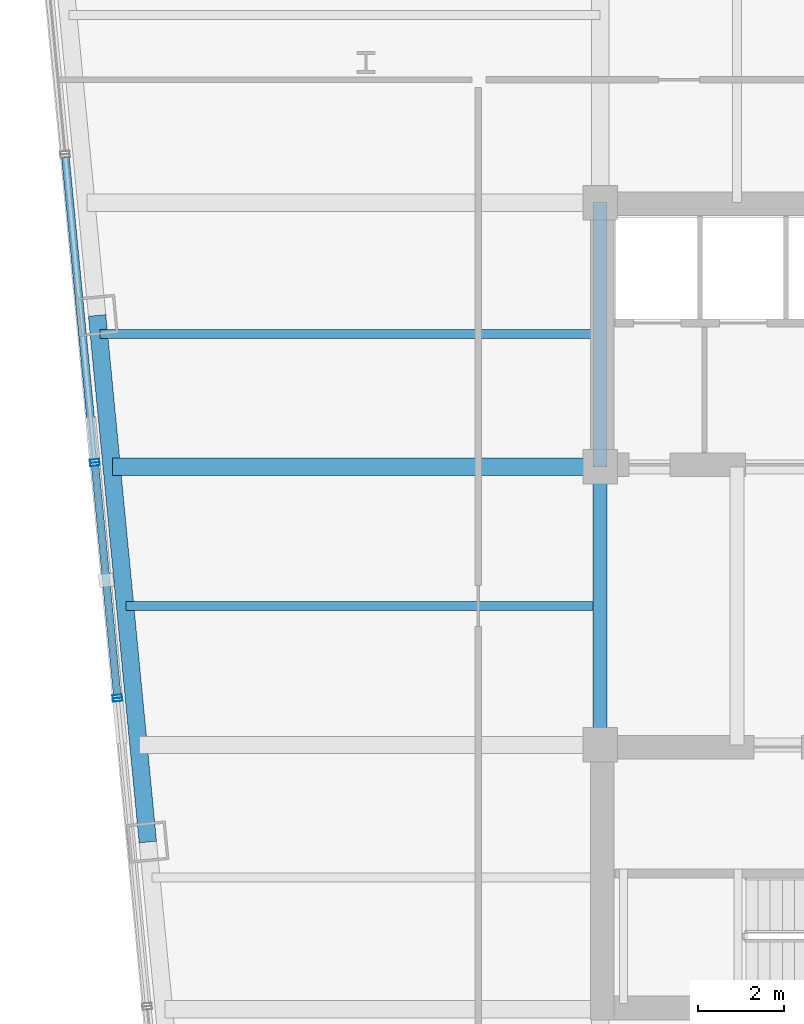
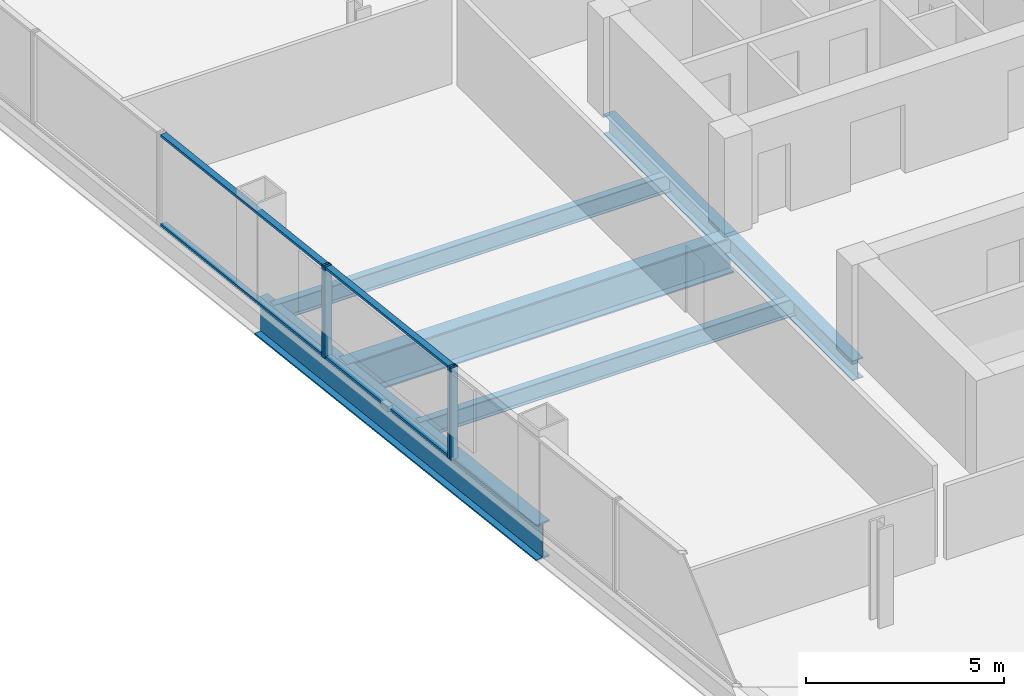
# One storey, part 7 of 26: 8 members, 6 beams, 3 elements without a shape of their own.
"""IFC4 building model written with IfcOpenShell, lengths in metres."""

import ifcopenshell
import ifcopenshell.guid

model = None  # the IFC model being written
_history = None  # IfcOwnerHistory: only IFC2X3 demands one
_inside = {}  # id of a spatial element -> (the spatial element, [elements in it])
_under = {}  # id of a project, library or spatial element -> (it, [spatial elements below it])
_declared = {}  # id of a project -> (the project, [libraries it declares])
_typed = {}  # id of a type object -> (the type object, [elements of that type])
_made_of = {}  # id of a material, layer set ... -> (it, [elements and type objects made of it])


def new_model(schema):
    """Start an empty IFC model of exactly this schema.

    Asked for "IFC4X3", IfcOpenShell would pick the latest addendum, in which some entities
    have other attributes; the version numbers below select the first issue.
    IFC2X3 requires an IfcOwnerHistory on every rooted entity: one is made here for all.
    """
    global model, _history
    if schema == "IFC4X3":
        model = ifcopenshell.file(schema_version=(4, 3, 0, 0))
    else:
        model = ifcopenshell.file(schema=schema)
    _inside.clear()
    _under.clear()
    _declared.clear()
    _typed.clear()
    _made_of.clear()
    _history = None
    if model.schema == "IFC2X3":
        org = make("IfcOrganization", Name="unknown")
        user = make(
            "IfcPersonAndOrganization",
            ThePerson=make("IfcPerson", FamilyName="unknown"),
            TheOrganization=org,
        )
        app = make(
            "IfcApplication",
            ApplicationDeveloper=org,
            Version="unknown",
            ApplicationFullName="unknown",
            ApplicationIdentifier="unknown",
        )
        _history = make(
            "IfcOwnerHistory",
            OwningUser=user,
            OwningApplication=app,
            ChangeAction="ADDED",
            CreationDate=0,
        )
    return model


def make(cls, **values):
    """One entity of the class cls with the attributes given. An attribute that is None is left unset."""
    return model.create_entity(
        cls, **{name: value for name, value in values.items() if value is not None}
    )


def rooted(cls, **values):
    """An entity with a GlobalId (a new one), such as an element, a storey or a relation."""
    return make(cls, GlobalId=ifcopenshell.guid.new(), OwnerHistory=_history, **values)


def si_unit(unit_type, name, prefix=None):
    """IfcSIUnit, for example si_unit("LENGTHUNIT", "METRE", prefix="MILLI")."""
    return make("IfcSIUnit", UnitType=unit_type, Prefix=prefix, Name=name)


def assignment(units):
    """IfcUnitAssignment: the units of a project."""
    return None if units is None else make("IfcUnitAssignment", Units=units)


def point(xyz):
    """IfcCartesianPoint."""
    return None if xyz is None else make("IfcCartesianPoint", Coordinates=xyz)


def direction(xyz):
    """IfcDirection."""
    return None if xyz is None else make("IfcDirection", DirectionRatios=xyz)


def frame(location, z_axis=None, x_axis=None):
    """IfcAxis2Placement3D, a coordinate frame: its origin and axes. An axis left out is left unset."""
    return make(
        "IfcAxis2Placement3D",
        Location=point(location),
        Axis=direction(z_axis),
        RefDirection=direction(x_axis),
    )


def frame_2d(location, x_axis=None):
    """IfcAxis2Placement2D, a coordinate frame in the plane: its origin and x axis."""
    return make(
        "IfcAxis2Placement2D", Location=point(location), RefDirection=direction(x_axis)
    )


def origin():
    """The frame at (0, 0, 0) with its axes left unset."""
    return frame((0.0, 0.0, 0.0))


def origin_2d():
    """The frame at (0, 0) in the plane with its x axis left unset."""
    return frame_2d((0.0, 0.0))


def place(relative_to, where):
    """IfcLocalPlacement: puts the frame where relative to a parent placement (None: the world)."""
    return make(
        "IfcLocalPlacement", PlacementRelTo=relative_to, RelativePlacement=where
    )


def context(
    kind, dimensions, precision=None, world=None, true_north=None, identifier=None
):
    """IfcGeometricRepresentationContext, for example the 3D "Model" context."""
    return make(
        "IfcGeometricRepresentationContext",
        ContextIdentifier=identifier,
        ContextType=kind,
        CoordinateSpaceDimension=dimensions,
        Precision=precision,
        WorldCoordinateSystem=world,
        TrueNorth=true_north,
    )


def subcontext(parent, identifier, kind, view, scale=None):
    """IfcGeometricRepresentationSubContext, for example "Body" below "Model"."""
    return make(
        "IfcGeometricRepresentationSubContext",
        ContextIdentifier=identifier,
        ContextType=kind,
        ParentContext=parent,
        TargetScale=scale,
        TargetView=view,
    )


def project(units=None, contexts=None):
    """IfcProject with its units and contexts."""
    return rooted(
        "IfcProject",
        Name="project",
        RepresentationContexts=contexts,
        UnitsInContext=assignment(units),
    )


def spatial(cls, under=None, at=None, **own):
    """A site, building, storey or space (cls), placed at a placement, below another one or the project."""
    s = rooted(cls, ObjectPlacement=at, **own)
    if under is not None:
        _under.setdefault(under.id(), (under, []))[1].append(s)
    return s


def profile(cls, at=None, kind="AREA", **sizes):
    """A parametric profile (cls). Its sizes go by their IFC names, for example OverallWidth=200.0."""
    return make(cls, ProfileType=kind, Position=at, **sizes)


def hollow_rectangle(**sizes):
    """IfcRectangleHollowProfileDef."""
    return profile("IfcRectangleHollowProfileDef", **sizes)


def i_section(**sizes):
    """IfcIShapeProfileDef."""
    return profile("IfcIShapeProfileDef", **sizes)


def extrude(swept, where, along, depth):
    """IfcExtrudedAreaSolid: the profile swept, set in the frame where, extruded along a direction by depth."""
    return make(
        "IfcExtrudedAreaSolid",
        SweptArea=swept,
        Position=where,
        ExtrudedDirection=direction(along),
        Depth=depth,
    )


def shape(context_of_items, identifier, shape_type, items):
    """IfcShapeRepresentation: the items that make up one representation, for example the "Body"."""
    return make(
        "IfcShapeRepresentation",
        ContextOfItems=context_of_items,
        RepresentationIdentifier=identifier,
        RepresentationType=shape_type,
        Items=items,
    )


def material(Name=None, Category=None):
    """IfcMaterial."""
    return make("IfcMaterial", Name=Name, Category=Category)


def layer(
    of_material, thickness, ventilated=None, Name=None, Category=None, Priority=None
):
    """IfcMaterialLayer: one layer of a wall or slab, of a material (None: an air gap)."""
    return make(
        "IfcMaterialLayer",
        Material=of_material,
        LayerThickness=thickness,
        IsVentilated=ventilated,
        Name=Name,
        Category=Category,
        Priority=Priority,
    )


def layer_set(layers, Name=None):
    """IfcMaterialLayerSet."""
    return make("IfcMaterialLayerSet", MaterialLayers=layers, LayerSetName=Name)


def material_profile(
    of_material, cross_section, Name=None, Category=None, Priority=None
):
    """IfcMaterialProfile: a cross section and its material."""
    return make(
        "IfcMaterialProfile",
        Name=Name,
        Material=of_material,
        Profile=cross_section,
        Priority=Priority,
        Category=Category,
    )


def profile_set(profiles, Name=None, composite=None):
    """IfcMaterialProfileSet."""
    return make(
        "IfcMaterialProfileSet",
        Name=Name,
        MaterialProfiles=profiles,
        CompositeProfile=composite,
    )


def made_of(thing, what):
    """Note that an element or type object is made of a material, layer set ...; save() writes the relation."""
    if what is not None:
        _made_of.setdefault(what.id(), (what, []))[1].append(thing)
    return thing


def type_object(cls, material=None, **own):
    """A type object (cls), such as IfcWallType, which elements share."""
    return made_of(rooted(cls, **own), material)


def element(
    cls,
    number,
    at=None,
    inside=None,
    cuts=None,
    type_object=None,
    material=None,
    context=None,
    identifier="Body",
    shape_type=None,
    held_by="IfcProductDefinitionShape",
    body=None,
    shapes=None,
    **own,
):
    """One element of the class cls, such as IfcWall. Its Tag is "e" and its number.

    at: its placement. inside: the storey or other place that contains it. cuts: it is an
    opening in that element (IfcRelVoidsElement). A single representation is given by context,
    identifier, shape_type and body (its items); several are given by shapes. held_by: the class
    of the entity that holds the representations. save() writes the other relations.
    """
    e = rooted(cls, Tag="e%d" % number, ObjectPlacement=at, **own)
    if body is not None:
        shapes = [shape(context, identifier, shape_type, body)]
    if shapes is not None:
        e.Representation = make(held_by, Representations=shapes)
    if inside is not None:
        _inside.setdefault(inside.id(), (inside, []))[1].append(e)
    if cuts is not None:
        rooted(
            "IfcRelVoidsElement", RelatingBuildingElement=cuts, RelatedOpeningElement=e
        )
    if type_object is not None:
        _typed.setdefault(type_object.id(), (type_object, []))[1].append(e)
    return made_of(e, material)


def aggregate(whole, parts):
    """IfcRelAggregates: a whole, such as a stair, and the parts it consists of."""
    return rooted("IfcRelAggregates", RelatingObject=whole, RelatedObjects=parts)


def save(model, path):
    """Write the relations noted so far, then the file.

    IfcRelAggregates (storeys below a building ...), IfcRelContainedInSpatialStructure (elements
    in a storey), IfcRelDefinesByType, IfcRelAssociatesMaterial and IfcRelDeclares: one each for
    every whole, place, type object, material and project.
    """
    for whole, parts in _under.values():
        aggregate(whole, parts)
    for where, things in _inside.values():
        rooted(
            "IfcRelContainedInSpatialStructure",
            RelatedElements=things,
            RelatingStructure=where,
        )
    for kind, things in _typed.values():
        rooted("IfcRelDefinesByType", RelatedObjects=things, RelatingType=kind)
    for what, things in _made_of.values():
        rooted("IfcRelAssociatesMaterial", RelatedObjects=things, RelatingMaterial=what)
    for by, libraries in _declared.values():
        rooted("IfcRelDeclares", RelatingContext=by, RelatedDefinitions=libraries)
    model.write(path)


model = new_model("IFC4")

# Units and contexts
model_context = context("Model", 3, precision=1e-05, world=origin(), true_north=direction((0.0, 1.0)))
body_context = subcontext(model_context, "Body", "Model", "MODEL_VIEW")
ifc_project = project(units=[si_unit("LENGTHUNIT", "METRE"), si_unit("AREAUNIT", "SQUARE_METRE"), si_unit("VOLUMEUNIT", "CUBIC_METRE"), si_unit("PLANEANGLEUNIT", "RADIAN"), si_unit("MASSUNIT", "GRAM", prefix="KILO")], contexts=[model_context])

# Site, building, storey
site_placement = place(None, origin())
site = spatial("IfcSite", under=ifc_project, at=site_placement, CompositionType="ELEMENT")
building_placement = place(site_placement, origin())
building = spatial("IfcBuilding", under=site, at=building_placement, Name="Qhalaya Broadcast Tower", CompositionType="ELEMENT")
storey_placement = place(building_placement, frame((0.0, 0.0, 72.5)))
storey = spatial("IfcBuildingStorey", under=building, at=storey_placement, Name="L20", CompositionType="ELEMENT", Elevation=72.5)

# Beams
ifc_material_1 = material(Name="Structural Steel ASTM A992 Grade 50", Category="steel")
ifc_material_profile_1 = material_profile(ifc_material_1, i_section(OverallWidth=0.2099609375, OverallDepth=0.535888671875, WebThickness=0.010986328125, FlangeThickness=0.017333984375, at=origin_2d()), Name="W21X68")
ifc_profile_set_1 = profile_set([ifc_material_profile_1], Name="Structural Steel ASTM A992 Grade 50")
beam_type_1 = type_object("IfcBeamType", Name="Composite Floor Joist J02", PredefinedType="JOIST", material=ifc_profile_set_1)
beam_1_placement = place(storey_placement, frame((-20.368408203125, 0.60009765625, -0.488037109375), z_axis=(1.0, 0.0, 0.0), x_axis=(0.0, 1.0, 0.0)))
element("IfcBeam", 1, at=beam_1_placement, inside=storey, type_object=beam_type_1, Name="L20 J02 L20-JWE4W-1", PredefinedType="JOIST", context=body_context, shape_type="SweptSolid", body=[
    extrude(i_section(OverallWidth=0.2099609375, OverallDepth=0.535888671875, WebThickness=0.010986328125, FlangeThickness=0.017333984375, at=origin_2d()), origin(), (0.0, 0.0, 1.0), 10.993408203125),
])
beam_2_placement = place(storey_placement, frame((-20.974853515625, 6.89990234375, -0.488037109375), z_axis=(1.0, 0.0, 0.0), x_axis=(0.0, 1.0, 0.0)))
element("IfcBeam", 2, at=beam_2_placement, inside=storey, type_object=beam_type_1, Name="L20 J02 L20-JWE5W-1", PredefinedType="JOIST", context=body_context, shape_type="SweptSolid", body=[
    extrude(i_section(OverallWidth=0.2099609375, OverallDepth=0.535888671875, WebThickness=0.010986328125, FlangeThickness=0.017333984375, at=origin_2d()), origin(), (0.0, 0.0, 1.0), 11.599853515625),
])
ifc_material_profile_2 = material_profile(ifc_material_1, i_section(OverallWidth=0.323974609375, OverallDepth=0.612060546875, WebThickness=0.0126953125, FlangeThickness=0.01904296875, at=origin_2d()), Name="W24X104")
ifc_profile_set_2 = profile_set([ifc_material_profile_2], Name="Structural Steel ASTM A992 Grade 50")
beam_type_2 = type_object("IfcBeamType", Name="Core Frame Tie Beam B04", PredefinedType="BEAM", material=ifc_profile_set_2)
beam_3_placement = place(storey_placement, frame((-9.375, 3.824951171875, -0.52587890625), z_axis=(0.0, 1.0, 0.0), x_axis=(-1.0, 0.0, 0.0)))
element("IfcBeam", 3, at=beam_3_placement, inside=storey, type_object=beam_type_2, Name="L20 B04 L20-CCN2", PredefinedType="BEAM", context=body_context, shape_type="SweptSolid", body=[
    extrude(i_section(OverallWidth=0.323974609375, OverallDepth=0.612060546875, WebThickness=0.0126953125, FlangeThickness=0.01904296875, at=origin_2d()), origin(), (0.0, 0.0, 1.0), 6.125),
])
beam_4_placement = place(storey_placement, frame((-9.375, -2.625, -0.52587890625), z_axis=(0.0, 1.0, 0.0), x_axis=(-1.0, 0.0, 0.0)))
element("IfcBeam", 4, at=beam_4_placement, inside=storey, type_object=beam_type_2, Name="L20 B04 L20-CCW", PredefinedType="BEAM", context=body_context, shape_type="SweptSolid", body=[
    extrude(i_section(OverallWidth=0.323974609375, OverallDepth=0.612060546875, WebThickness=0.0126953125, FlangeThickness=0.01904296875, at=origin_2d()), origin(), (0.0, 0.0, 1.0), 6.449951171875),
])
ifc_material_profile_3 = material_profile(ifc_material_1, i_section(OverallWidth=0.404052734375, OverallDepth=1.117919921875, WebThickness=0.026123046875, FlangeThickness=0.044921875, at=origin_2d()), Name="W44X335")
ifc_profile_set_3 = profile_set([ifc_material_profile_3], Name="Structural Steel ASTM A992 Grade 50")
beam_type_3 = type_object("IfcBeamType", Name="Podium Long-Span Primary Girder PG1", PredefinedType="USERDEFINED", material=ifc_profile_set_3)
beam_5_placement = place(storey_placement, frame((-21.036865234375, 7.335205078125, -0.779052734375), z_axis=(0.095851586307, -0.99539563662, 0.0), x_axis=(0.99539563662, 0.095851586307, 0.0)))
element("IfcBeam", 5, at=beam_5_placement, inside=storey, type_object=beam_type_3, Name="L20 PG1 L20-SPR-14", ObjectType="GIRDER", PredefinedType="USERDEFINED", context=body_context, shape_type="SweptSolid", body=[
    extrude(i_section(OverallWidth=0.404052734375, OverallDepth=1.117919921875, WebThickness=0.026123046875, FlangeThickness=0.044921875, at=origin_2d()), origin(), (0.0, 0.0, 1.0), 12.2666015625),
])
beam_6_placement = place(storey_placement, frame((-20.6787109375, 3.824951171875, -0.779052734375), z_axis=(1.0, 0.0, 0.0), x_axis=(0.0, 1.0, 0.0)))
element("IfcBeam", 6, at=beam_6_placement, inside=storey, type_object=beam_type_3, Name="L20 PG1 L20-PGYW3-1", ObjectType="GIRDER", PredefinedType="USERDEFINED", context=body_context, shape_type="SweptSolid", body=[
    extrude(i_section(OverallWidth=0.404052734375, OverallDepth=1.117919921875, WebThickness=0.026123046875, FlangeThickness=0.044921875, at=origin_2d()), origin(), (0.0, 0.0, 1.0), 11.3037109375),
])

# Curtain wall, member
ifc_material_2 = material(Name="Fired Architectural Terracotta", Category="masonry")
ifc_layer_1 = layer(ifc_material_2, 0.219970703125, Name="Fired Architectural Terracotta")
ifc_layer_set_1 = layer_set([ifc_layer_1], Name="Fired Architectural Terracotta")
curtain_wall_type_1 = type_object("IfcCurtainWallType", Name="Block-Cap Unitised Terracotta Spandrel Wall CW-07", PredefinedType="NOTDEFINED", material=ifc_layer_set_1)
curtain_wall_1_placement = place(storey_placement, origin())
curtain_wall_1 = element("IfcCurtainWall", 7, at=curtain_wall_1_placement, inside=storey, type_object=curtain_wall_type_1, Name="L20 Unitised Curtain Wall L20-CW-W3", PredefinedType="NOTDEFINED")
ifc_material_3 = material(Name="Anodised Aluminium 6063-T6", Category="aluminium")
ifc_material_profile_4 = material_profile(ifc_material_3, hollow_rectangle(XDim=0.074951171875, YDim=0.219970703125, WallThickness=0.00390625, at=origin_2d()), Name="ALU-MUL 75x220x4")
ifc_profile_set_4 = profile_set([ifc_material_profile_4], Name="Anodised Aluminium 6063-T6")
member_type_1 = type_object("IfcMemberType", Name="Unitised Curtain-Wall Mullion M01", PredefinedType="MULLION", material=ifc_profile_set_4)
member_1_placement = place(storey_placement, frame((-21.09375, 3.96142578125, 0.0), z_axis=(0.0, 0.0, 1.0), x_axis=(0.095850652435, -0.995395726547, 0.0)))
member_1 = element("IfcMember", 8, at=member_1_placement, type_object=member_type_1, Name="CW-07 mullion 2", PredefinedType="MULLION", context=body_context, shape_type="SweptSolid", body=[
    extrude(hollow_rectangle(XDim=0.074951171875, YDim=0.219970703125, WallThickness=0.00390625, at=origin_2d()), origin(), (0.0, 0.0, 1.0), 2.830078125),
])

# Curtain wall, members
ifc_material_4 = material(Name="Solar-Control Low-E Triple Glazing", Category="glass")
ifc_layer_2 = layer(ifc_material_4, 0.219970703125, Name="Solar-Control Low-E Triple Glazing")
ifc_layer_set_2 = layer_set([ifc_layer_2], Name="Solar-Control Low-E Triple Glazing")
curtain_wall_type_2 = type_object("IfcCurtainWallType", Name="Even-Block 4-Storey Double-Module Curtain Wall CW-03", PredefinedType="NOTDEFINED", material=ifc_layer_set_2)
curtain_wall_2_placement = place(storey_placement, origin())
curtain_wall_2 = element("IfcCurtainWall", 9, at=curtain_wall_2_placement, inside=storey, type_object=curtain_wall_type_2, Name="L20 Unitised Curtain Wall L20-CW-W4", PredefinedType="NOTDEFINED")
member_2_placement = place(storey_placement, frame((-21.086669921875, 3.88671875, 0.0), z_axis=(0.0, 0.0, 1.0), x_axis=(0.095843001098, -0.995396463295, 0.0)))
member_2 = element("IfcMember", 10, at=member_2_placement, type_object=member_type_1, Name="CW-03 mullion 1", PredefinedType="MULLION", context=body_context, shape_type="SweptSolid", body=[
    extrude(hollow_rectangle(XDim=0.074951171875, YDim=0.219970703125, WallThickness=0.00390625, at=origin_2d()), origin(), (0.0, 0.0, 1.0), 2.830078125),
])
member_3_placement = place(storey_placement, frame((-20.568115234375, -1.499267578125, 0.0), z_axis=(0.0, 0.0, 1.0), x_axis=(0.095843001098, -0.995396463295, 0.0)))
member_3 = element("IfcMember", 11, at=member_3_placement, type_object=member_type_1, Name="CW-03 mullion 2", PredefinedType="MULLION", context=body_context, shape_type="SweptSolid", body=[
    extrude(hollow_rectangle(XDim=0.074951171875, YDim=0.219970703125, WallThickness=0.00390625, at=origin_2d()), origin(), (0.0, 0.0, 1.0), 2.830078125),
])

# Curtain wall, member
curtain_wall_3_placement = place(storey_placement, origin())
curtain_wall_3 = element("IfcCurtainWall", 12, at=curtain_wall_3_placement, inside=storey, type_object=curtain_wall_type_1, Name="L20 Unitised Curtain Wall L20-CW-W5", PredefinedType="NOTDEFINED")
member_4_placement = place(storey_placement, frame((-20.560791015625, -1.573974609375, 0.0), z_axis=(0.0, 0.0, 1.0), x_axis=(0.095850652435, -0.995395726547, 0.0)))
member_4 = element("IfcMember", 13, at=member_4_placement, type_object=member_type_1, Name="CW-07 mullion 1", PredefinedType="MULLION", context=body_context, shape_type="SweptSolid", body=[
    extrude(hollow_rectangle(XDim=0.074951171875, YDim=0.219970703125, WallThickness=0.00390625, at=origin_2d()), origin(), (0.0, 0.0, 1.0), 2.830078125),
])
aggregate(curtain_wall_3, [member_4])

# Member
ifc_material_profile_5 = material_profile(ifc_material_3, hollow_rectangle(XDim=0.074951171875, YDim=0.179931640625, WallThickness=0.00390625, at=origin_2d()), Name="ALU-TRN 75x180x4")
ifc_profile_set_5 = profile_set([ifc_material_profile_5], Name="Anodised Aluminium 6063-T6")
member_type_2 = type_object("IfcMemberType", Name="Unitised Curtain-Wall Transom T01", PredefinedType="USERDEFINED", material=ifc_profile_set_5)
member_5_placement = place(storey_placement, frame((-21.771240234375, 10.997314453125, 0.03759765625), z_axis=(0.095838119582, -0.995396933306, 0.0), x_axis=(0.0, 0.0, 1.0)))
member_5 = element("IfcMember", 14, at=member_5_placement, type_object=member_type_2, Name="CW-07 transom 1.1", ObjectType="TRANSOM", PredefinedType="USERDEFINED", context=body_context, shape_type="SweptSolid", body=[
    extrude(hollow_rectangle(XDim=0.074951171875, YDim=0.179931640625, WallThickness=0.00390625, at=origin_2d()), origin(), (0.0, 0.0, 1.0), 7.031005859375),
])

member_6_placement = place(storey_placement, frame((-21.771240234375, 10.997314453125, 2.79248046875), z_axis=(0.095838119582, -0.995396933306, 0.0), x_axis=(0.0, 0.0, 1.0)))
member_6 = element("IfcMember", 15, at=member_6_placement, type_object=member_type_2, Name="CW-07 transom 1.2", ObjectType="TRANSOM", PredefinedType="USERDEFINED", context=body_context, shape_type="SweptSolid", body=[
    extrude(hollow_rectangle(XDim=0.074951171875, YDim=0.179931640625, WallThickness=0.00390625, at=origin_2d()), origin(), (0.0, 0.0, 1.0), 7.031005859375),
])

aggregate(curtain_wall_1, [member_1, member_5, member_6])

member_7_placement = place(storey_placement, frame((-21.0830078125, 3.849365234375, 0.03759765625), z_axis=(0.09585189358, -0.995395607031, 0.0), x_axis=(0.0, 0.0, 1.0)))
member_7 = element("IfcMember", 16, at=member_7_placement, type_object=member_type_2, Name="CW-03 transom 1.1", ObjectType="TRANSOM", PredefinedType="USERDEFINED", context=body_context, shape_type="SweptSolid", body=[
    extrude(hollow_rectangle(XDim=0.074951171875, YDim=0.179931640625, WallThickness=0.00390625, at=origin_2d()), origin(), (0.0, 0.0, 1.0), 5.336181640625),
])

member_8_placement = place(storey_placement, frame((-21.0830078125, 3.849365234375, 2.79248046875), z_axis=(0.09585189358, -0.995395607031, 0.0), x_axis=(0.0, 0.0, 1.0)))
member_8 = element("IfcMember", 17, at=member_8_placement, type_object=member_type_2, Name="CW-03 transom 1.2", ObjectType="TRANSOM", PredefinedType="USERDEFINED", context=body_context, shape_type="SweptSolid", body=[
    extrude(hollow_rectangle(XDim=0.074951171875, YDim=0.179931640625, WallThickness=0.00390625, at=origin_2d()), origin(), (0.0, 0.0, 1.0), 5.336181640625),
])

aggregate(curtain_wall_2, [member_2, member_3, member_7, member_8])

save(model, "model.ifc")
